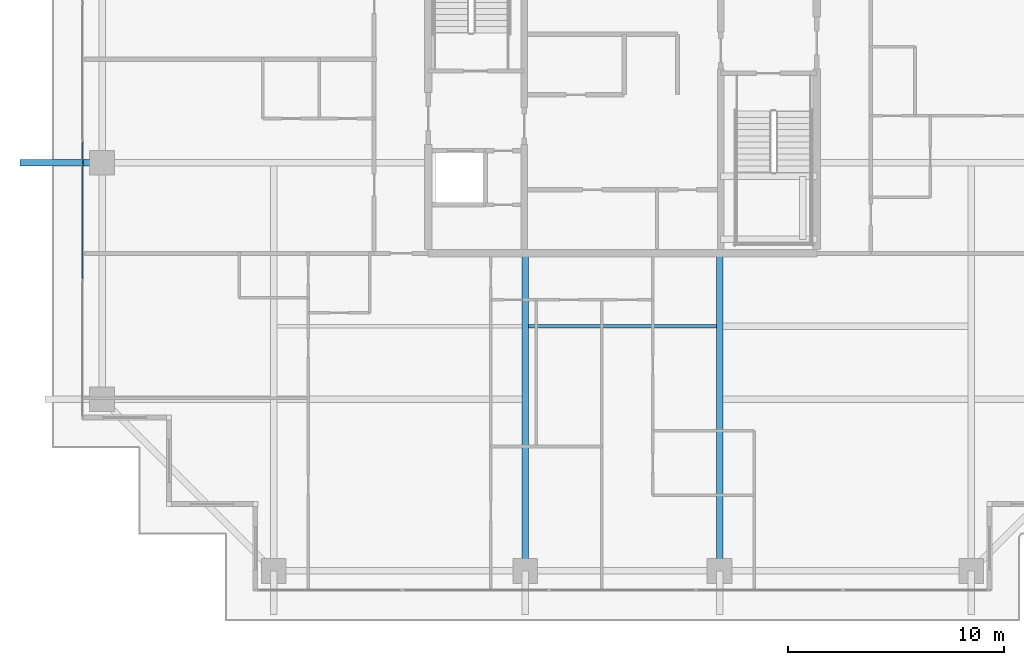
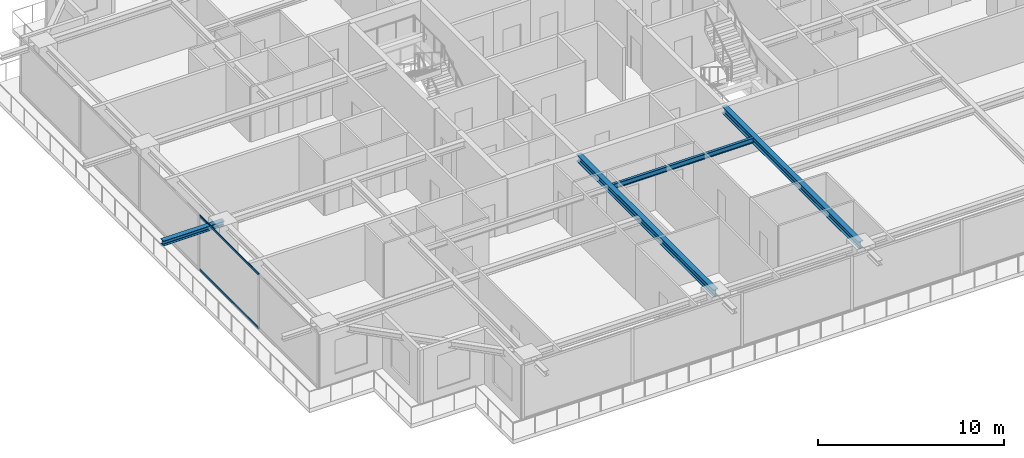
# One storey, part 6 of 37: 4 beams, 2 members, 1 element without a shape of its own.
"""IFC4 building model written with IfcOpenShell, lengths in metres."""

from ifc_helpers import new_model, si_unit, direction, frame, origin, origin_2d, place, context, subcontext, project, spatial, hollow_rectangle, i_section, extrude, source, transform, mapped, material, layer, layer_set, material_profile, profile_set, type_object, element, aggregate, save


model = new_model("IFC4")

# Units and contexts
model_context = context("Model", 3, precision=1e-05, world=origin(), true_north=direction((0.0, 1.0)))
body_context = subcontext(model_context, "Body", "Model", "MODEL_VIEW")
ifc_project = project(units=[si_unit("LENGTHUNIT", "METRE"), si_unit("AREAUNIT", "SQUARE_METRE"), si_unit("VOLUMEUNIT", "CUBIC_METRE"), si_unit("PLANEANGLEUNIT", "RADIAN"), si_unit("MASSUNIT", "GRAM", prefix="KILO")], contexts=[model_context])

# Site, building, storey
site_placement = place(None, origin())
site = spatial("IfcSite", under=ifc_project, at=site_placement, CompositionType="ELEMENT")
building_placement = place(site_placement, origin())
building = spatial("IfcBuilding", under=site, at=building_placement, Name="Serunith Strait Residences", CompositionType="ELEMENT")
storey_placement = place(building_placement, frame((0.0, 0.0, 233.550048828125)))
storey = spatial("IfcBuildingStorey", under=building, at=storey_placement, Name="L58", CompositionType="ELEMENT", Elevation=233.550048828125)

# Beams
ifc_material_1 = material(Name="Steel S355J2", Category="steel")
ifc_material_profile_1 = material_profile(ifc_material_1, i_section(OverallWidth=0.159912109375, OverallDepth=0.330078125, WebThickness=0.007568359375, FlangeThickness=0.011474609375, FilletRadius=0.01806640625, at=origin_2d()), Name="IPE 330")
ifc_profile_set_1 = profile_set([ifc_material_profile_1], Name="Steel S355J2")
beam_type_1 = type_object("IfcBeamType", Name="BM-IPE330", PredefinedType="JOIST", material=ifc_profile_set_1)
shared_shape_1 = source(origin(), body_context, "Body", "SweptSolid", [
    extrude(i_section(OverallWidth=0.159912109375, OverallDepth=0.330078125, WebThickness=0.007568359375, FlangeThickness=0.011474609375, FilletRadius=0.01806640625, at=origin_2d()), origin(), (0.0, 0.0, 1.0), 8.699951171875),
])
beam_1_placement = place(storey_placement, frame((28.050048828125, 13.425048828125, 3.421875), z_axis=(1.0, 0.0, 0.0), x_axis=(0.0, 1.0, 0.0)))
element("IfcBeam", 1, at=beam_1_placement, inside=storey, type_object=beam_type_1, Name="L58 Composite Floor Joist 02", PredefinedType="JOIST", context=body_context, shape_type="MappedRepresentation", body=[
    mapped(shared_shape_1, transform((0.0, 0.0, 0.0), scale=1.0)),
])
ifc_material_profile_2 = material_profile(ifc_material_1, i_section(OverallWidth=0.300048828125, OverallDepth=0.449951171875, WebThickness=0.013916015625, FlangeThickness=0.02587890625, FilletRadius=0.027099609375, at=origin_2d()), Name="HEB 450")
ifc_profile_set_2 = profile_set([ifc_material_profile_2], Name="Steel S355J2")
beam_type_2 = type_object("IfcBeamType", Name="BM-HEB450", PredefinedType="BEAM", material=ifc_profile_set_2)
shared_shape_2 = source(origin(), body_context, "Body", "SweptSolid", [
    extrude(i_section(OverallWidth=0.300048828125, OverallDepth=0.449951171875, WebThickness=0.013916015625, FlangeThickness=0.02587890625, FilletRadius=0.027099609375, at=origin_2d()), origin(), (0.0, 0.0, 1.0), 14.699951171875),
])
for number, where, z_axis, x_axis, name in (
    (2, (27.89990234375, 16.800048828125, 3.362060546875), (0.0, -1.0, 0.0), (1.0, 0.0, 0.0), "L58 Primary Floor Girder TC-S2"),
    (3, (36.89990234375, 16.800048828125, 3.362060546875), (0.0, -1.0, 0.0), (1.0, 0.0, 0.0), "L58 Primary Floor Girder TC-S3"),
):
    element("IfcBeam", number, at=place(storey_placement, frame(where, z_axis=z_axis, x_axis=x_axis)), inside=storey, type_object=beam_type_2, Name=name, PredefinedType="BEAM", context=body_context, shape_type="MappedRepresentation", body=[
        mapped(shared_shape_2, transform((0.0, 0.0, 0.0), scale=1.0)),
    ])
ifc_material_profile_3 = material_profile(ifc_material_1, i_section(OverallWidth=0.300048828125, OverallDepth=0.320068359375, WebThickness=0.011474609375, FlangeThickness=0.0205078125, FilletRadius=0.027099609375, at=origin_2d()), Name="HEB 320")
ifc_profile_set_3 = profile_set([ifc_material_profile_3], Name="Steel S355J2")
beam_type_3 = type_object("IfcBeamType", Name="BM-HEB320", PredefinedType="BEAM", material=ifc_profile_set_3)
shared_shape_3 = source(origin(), body_context, "Body", "SweptSolid", [
    extrude(i_section(OverallWidth=0.300048828125, OverallDepth=0.320068359375, WebThickness=0.011474609375, FlangeThickness=0.0205078125, FilletRadius=0.027099609375, at=origin_2d()), origin(), (0.0, 0.0, 1.0), 3.800048828125),
])
beam_2_placement = place(storey_placement, frame((8.300048828125, 21.0, 3.39697265625), z_axis=(-1.0, 0.0, 0.0), x_axis=(0.0, -1.0, 0.0)))
element("IfcBeam", 4, at=beam_2_placement, inside=storey, type_object=beam_type_3, Name="L59 Cantilevered Balcony Rib TC-W2", PredefinedType="BEAM", context=body_context, shape_type="MappedRepresentation", body=[
    mapped(shared_shape_3, transform((0.0, 0.0, 0.0), scale=1.0)),
])

# Curtain wall, members
ifc_material_2 = material(Name="Pale-Champagne Anodised Aluminium", Category="aluminium")
ifc_layer = layer(ifc_material_2, 0.199951171875, Name="Pale-Champagne Anodised Aluminium")
ifc_layer_set = layer_set([ifc_layer], Name="Pale-Champagne Anodised Aluminium")
curtain_wall_type = type_object("IfcCurtainWallType", Name="CW-SYS4", PredefinedType="NOTDEFINED", material=ifc_layer_set)
curtain_wall_placement = place(storey_placement, origin())
curtain_wall = element("IfcCurtainWall", 5, at=curtain_wall_placement, inside=storey, type_object=curtain_wall_type, Name="L58 W Unitised Fritted Curtain Wall", PredefinedType="NOTDEFINED")
ifc_material_profile_4 = material_profile(ifc_material_2, hollow_rectangle(XDim=0.06005859375, YDim=0.139892578125, WallThickness=0.00341796875, InnerFilletRadius=0.00537109375, OuterFilletRadius=0.0087890625, at=origin_2d()), Name="ALU 140x60x3.5")
ifc_profile_set_4 = profile_set([ifc_material_profile_4], Name="Pale-Champagne Anodised Aluminium")
member_type = type_object("IfcMemberType", Name="CW-SYS4-TRAN", PredefinedType="USERDEFINED", material=ifc_profile_set_4)
shared_shape_4 = source(origin(), body_context, "Body", "SweptSolid", [
    extrude(hollow_rectangle(XDim=0.06005859375, YDim=0.139892578125, WallThickness=0.00341796875, InnerFilletRadius=0.00537109375, OuterFilletRadius=0.0087890625, at=origin_2d()), origin(), (0.0, 0.0, 1.0), 6.3349609375),
])
member_1_placement = place(storey_placement, frame((7.39990234375, 21.967529296875, 0.030029296875), z_axis=(0.0, -1.0, 0.0), x_axis=(1.0, 0.0, 0.0)))
member_1 = element("IfcMember", 6, at=member_1_placement, type_object=member_type, Name="CW-4 transom 4.1", ObjectType="TRANSOM", PredefinedType="USERDEFINED", context=body_context, shape_type="MappedRepresentation", body=[
    mapped(shared_shape_4, transform((0.0, 0.0, 0.0), scale=1.0)),
])
member_2_placement = place(storey_placement, frame((7.39990234375, 21.967529296875, 3.544921875), z_axis=(0.0, -1.0, 0.0), x_axis=(1.0, 0.0, 0.0)))
member_2 = element("IfcMember", 7, at=member_2_placement, type_object=member_type, Name="CW-4 transom 4.2", ObjectType="TRANSOM", PredefinedType="USERDEFINED", context=body_context, shape_type="MappedRepresentation", body=[
    mapped(shared_shape_4, transform((0.0, 0.0, 0.0), scale=1.0)),
])
aggregate(curtain_wall, [member_1, member_2])

save(model, "model.ifc")
